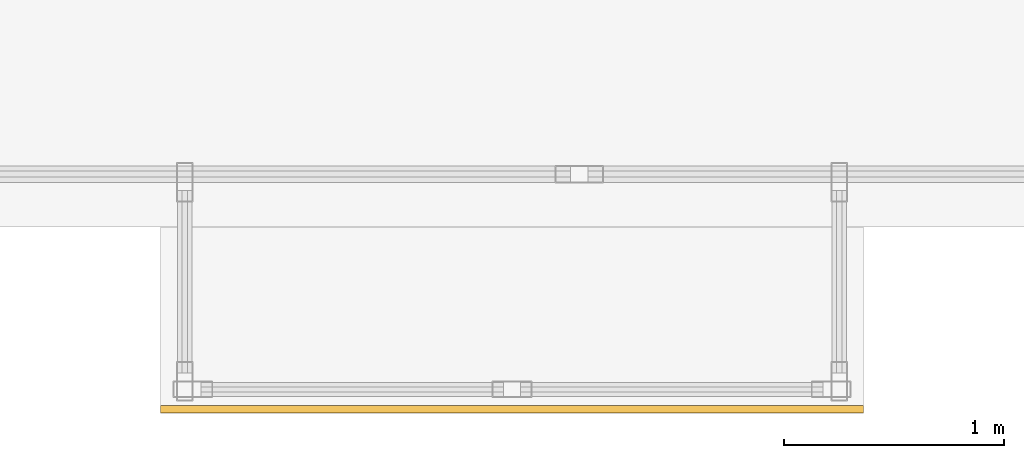
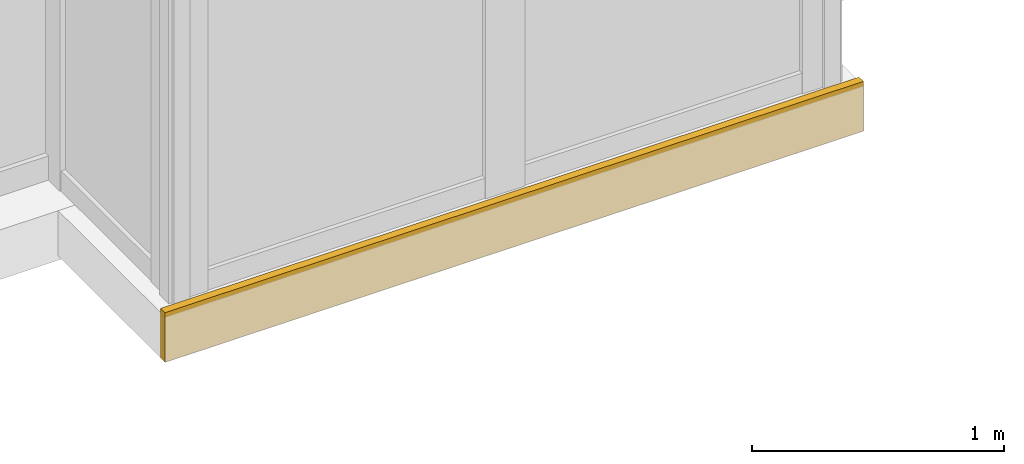
# One storey, part 22 of 23: 1 covering.
"""IFC4 building model written with IfcOpenShell, lengths in metres."""

from ifc_helpers import new_model, si_unit, direction, frame, origin, origin_2d, place, context, subcontext, project, spatial, rectangle, extrude, material, layer, layer_set, type_object, element, save


model = new_model("IFC4")

# Units and contexts
model_context = context("Model", 3, precision=1e-05, world=origin(), true_north=direction((0.0, 1.0)))
body_context = subcontext(model_context, "Body", "Model", "MODEL_VIEW")
ifc_project = project(units=[si_unit("LENGTHUNIT", "METRE"), si_unit("AREAUNIT", "SQUARE_METRE"), si_unit("VOLUMEUNIT", "CUBIC_METRE"), si_unit("PLANEANGLEUNIT", "RADIAN"), si_unit("MASSUNIT", "GRAM", prefix="KILO")], contexts=[model_context])

# Site, building, storey
site_placement = place(None, origin())
site = spatial("IfcSite", under=ifc_project, at=site_placement, CompositionType="ELEMENT")
building_placement = place(site_placement, origin())
building = spatial("IfcBuilding", under=site, at=building_placement, Name="Kolvaren Waterfront Exchange", CompositionType="ELEMENT")
storey_placement = place(building_placement, frame((0.0, 0.0, 319.800048828125)))
storey = spatial("IfcBuildingStorey", under=building, at=storey_placement, Name="L82", CompositionType="ELEMENT", Elevation=319.800048828125)

# Covering
ifc_material = material(Name="Anodised bronze fascia aluminium", Category="aluminium")
ifc_layer = layer(ifc_material, 0.034912109375, Name="Anodised bronze fascia aluminium")
ifc_layer_set = layer_set([ifc_layer], Name="Anodised bronze fascia aluminium")
covering_type = type_object("IfcCoveringType", Name="ARC-CLAD-BRONZE-35", PredefinedType="CLADDING", material=ifc_layer_set)
covering_placement = place(storey_placement, frame((40.5, 2.77001953125, -0.22021484375), z_axis=(0.0, 0.0, 1.0), x_axis=(1.0, 0.0, 0.0)))
element("IfcCovering", 1, at=covering_placement, inside=storey, type_object=covering_type, Name="L82 ribbed anodised bronze bay-box fascia", PredefinedType="CLADDING", context=body_context, shape_type="SweptSolid", body=[
    extrude(rectangle(XDim=3.199951171875, YDim=0.034912109375, at=origin_2d()), origin(), (0.0, 0.0, 1.0), 0.239990234375),
])

save(model, "model.ifc")
